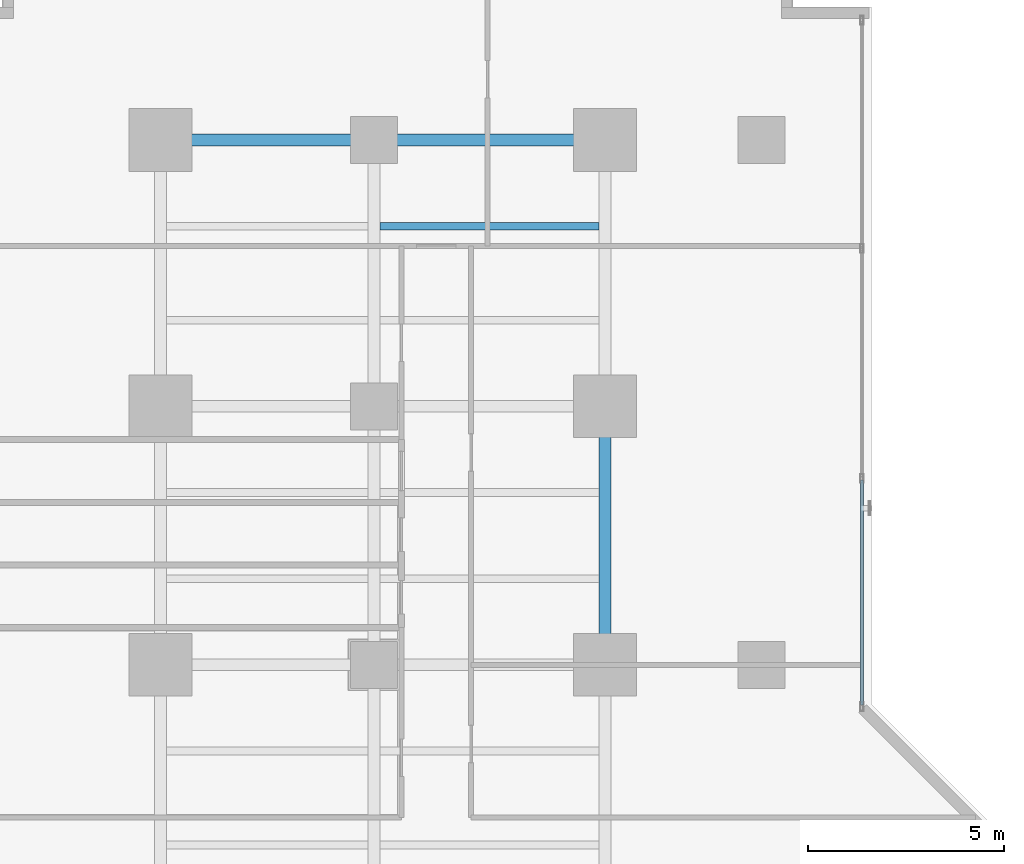
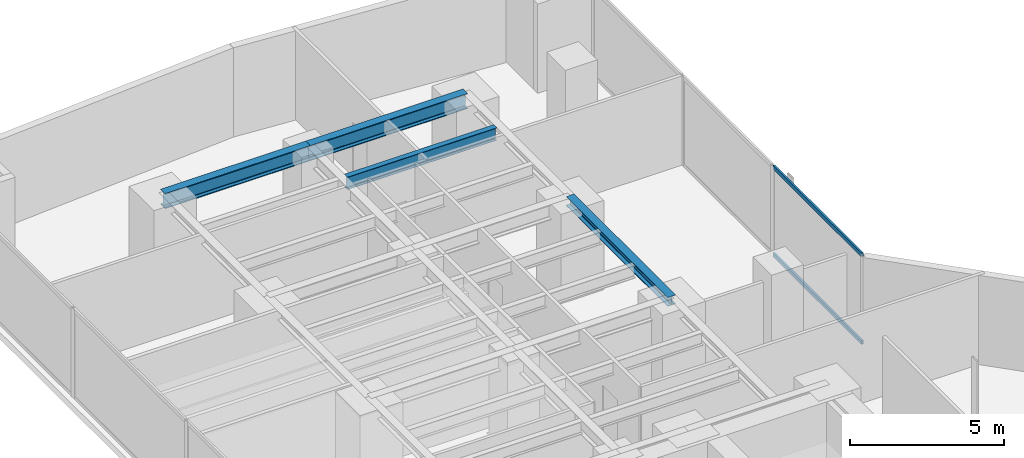
# One storey, part 18 of 26: 4 beams, 2 members, 1 element without a shape of its own.
"""IFC4 building model written with IfcOpenShell, lengths in metres."""

from ifc_helpers import new_model, si_unit, direction, frame, origin, origin_with_axes, origin_2d, place, context, subcontext, project, spatial, hollow_rectangle, i_section, extrude, source, transform, mapped, material, layer, layer_set, material_profile, profile_set, type_object, element, aggregate, save


model = new_model("IFC4")

# Units and contexts
model_context = context("Model", 3, precision=1e-05, world=origin(), true_north=direction((0.0, 1.0)))
body_context = subcontext(model_context, "Body", "Model", "MODEL_VIEW")
ifc_project = project(units=[si_unit("LENGTHUNIT", "METRE"), si_unit("AREAUNIT", "SQUARE_METRE"), si_unit("VOLUMEUNIT", "CUBIC_METRE"), si_unit("PLANEANGLEUNIT", "RADIAN"), si_unit("MASSUNIT", "GRAM", prefix="KILO")], contexts=[model_context])

# Site, building, storey
site_placement = place(None, origin())
site = spatial("IfcSite", under=ifc_project, at=site_placement, CompositionType="ELEMENT")
building_placement = place(site_placement, origin())
building = spatial("IfcBuilding", under=site, at=building_placement, Name="Kolvaren Waterfront Exchange", CompositionType="ELEMENT")
storey_placement = place(building_placement, frame((0.0, 0.0, 48.60009765625)))
storey = spatial("IfcBuildingStorey", under=building, at=storey_placement, Name="L12", CompositionType="ELEMENT", Elevation=48.60009765625)

# Beams
ifc_material_1 = material(Name="Steel S355", Category="steel")
ifc_material_profile_1 = material_profile(ifc_material_1, i_section(OverallWidth=0.300048828125, OverallDepth=0.360107421875, WebThickness=0.012451171875, FlangeThickness=0.0224609375, FilletRadius=0.027099609375, at=origin_2d()), Name="HEB360")
ifc_profile_set_1 = profile_set([ifc_material_profile_1], Name="Steel S355")
beam_type_1 = type_object("IfcBeamType", Name="STR-BM-HEB360", PredefinedType="SPANDREL", material=ifc_profile_set_1)
beam_1_placement = place(storey_placement, frame((18.800048828125, 31.199951171875, 3.35986328125), z_axis=(0.0, 1.0, 0.0), x_axis=(-1.0, 0.0, 0.0)))
element("IfcBeam", 1, at=beam_1_placement, inside=storey, type_object=beam_type_1, Name="L12 north-arm edge beam 2", PredefinedType="SPANDREL", context=body_context, shape_type="SweptSolid", body=[
    extrude(i_section(OverallWidth=0.300048828125, OverallDepth=0.360107421875, WebThickness=0.012451171875, FlangeThickness=0.0224609375, FilletRadius=0.027099609375, at=origin_2d()), origin(), (0.0, 0.0, 1.0), 6.60009765625),
])
ifc_material_profile_2 = material_profile(ifc_material_1, i_section(OverallWidth=0.300048828125, OverallDepth=0.60009765625, WebThickness=0.015380859375, FlangeThickness=0.030029296875, FilletRadius=0.027099609375, at=origin_2d()), Name="HEB600")
ifc_profile_set_2 = profile_set([ifc_material_profile_2], Name="Steel S355")
beam_type_2 = type_object("IfcBeamType", Name="STR-BM-HEB600", PredefinedType="BEAM", material=ifc_profile_set_2)
beam_2_placement = place(storey_placement, frame((7.449951171875, 44.60009765625, 3.239990234375), z_axis=(1.0, 0.0, 0.0), x_axis=(0.0, 1.0, 0.0)))
element("IfcBeam", 2, at=beam_2_placement, inside=storey, type_object=beam_type_2, Name="L12 north-arm girder 4A", PredefinedType="BEAM", context=body_context, shape_type="SweptSolid", body=[
    extrude(i_section(OverallWidth=0.300048828125, OverallDepth=0.60009765625, WebThickness=0.015380859375, FlangeThickness=0.030029296875, FilletRadius=0.027099609375, at=origin_2d()), origin(), (0.0, 0.0, 1.0), 5.449951171875),
])
beam_3_placement = place(storey_placement, frame((12.89990234375, 44.60009765625, 3.239990234375), z_axis=(1.0, 0.0, 0.0), x_axis=(0.0, 1.0, 0.0)))
element("IfcBeam", 3, at=beam_3_placement, inside=storey, type_object=beam_type_2, Name="L12 north-arm girder 4B", PredefinedType="BEAM", context=body_context, shape_type="SweptSolid", body=[
    extrude(i_section(OverallWidth=0.300048828125, OverallDepth=0.60009765625, WebThickness=0.015380859375, FlangeThickness=0.030029296875, FilletRadius=0.027099609375, at=origin_2d()), origin(), (0.0, 0.0, 1.0), 5.900146484375),
])
ifc_material_profile_3 = material_profile(ifc_material_1, i_section(OverallWidth=0.199951171875, OverallDepth=0.5, WebThickness=0.01025390625, FlangeThickness=0.01611328125, FilletRadius=0.02099609375, at=origin_2d()), Name="IPE500")
ifc_profile_set_3 = profile_set([ifc_material_profile_3], Name="Steel S355")
beam_type_3 = type_object("IfcBeamType", Name="STR-BM-IPE500", PredefinedType="JOIST", material=ifc_profile_set_3)
beam_4_placement = place(storey_placement, frame((13.052001953125, 42.39990234375, 3.289794921875), z_axis=(1.0, 0.0, 0.0), x_axis=(0.0, 1.0, 0.0)))
element("IfcBeam", 4, at=beam_4_placement, inside=storey, type_object=beam_type_3, Name="L12 north-arm composite joist 6B", PredefinedType="JOIST", context=body_context, shape_type="SweptSolid", body=[
    extrude(i_section(OverallWidth=0.199951171875, OverallDepth=0.5, WebThickness=0.01025390625, FlangeThickness=0.01611328125, FilletRadius=0.02099609375, at=origin_2d()), origin(), (0.0, 0.0, 1.0), 5.595947265625),
])

# Curtain wall, members
ifc_material_2 = material(Name="Anodised bronze aluminium 6063-T6", Category="aluminium")
ifc_layer = layer(ifc_material_2, 0.219970703125, Name="Anodised bronze aluminium 6063-T6")
ifc_layer_set = layer_set([ifc_layer], Name="Anodised bronze aluminium 6063-T6")
curtain_wall_type = type_object("IfcCurtainWallType", Name="ARC-CW-SYS1", PredefinedType="USERDEFINED", material=ifc_layer_set)
curtain_wall_placement = place(storey_placement, origin())
curtain_wall = element("IfcCurtainWall", 5, at=curtain_wall_placement, inside=storey, type_object=curtain_wall_type, Name="L12 stick curtain wall CW1 (CW-L12-NE)", ObjectType="STICK CURTAIN WALL", PredefinedType="USERDEFINED")
ifc_material_3 = material(Name="Anodised aluminium 6063-T6", Category="aluminium")
ifc_material_profile_4 = material_profile(ifc_material_3, hollow_rectangle(XDim=0.074951171875, YDim=0.159912109375, WallThickness=0.00439453125, at=origin_2d()), Name="ALU-TRN-160x75x4.5")
ifc_profile_set_4 = profile_set([ifc_material_profile_4], Name="Anodised aluminium 6063-T6")
member_type = type_object("IfcMemberType", Name="ARC-CWT-160", PredefinedType="USERDEFINED", material=ifc_profile_set_4)
shared_shape = source(origin_with_axes(), body_context, "Body", "SweptSolid", [
    extrude(hollow_rectangle(XDim=0.074951171875, YDim=0.159912109375, WallThickness=0.00439453125, at=origin_2d()), origin(), (0.0, 0.0, 1.0), 5.75),
])
member_1_placement = place(storey_placement, frame((25.360107421875, 30.169921875, 0.037353515625), z_axis=(0.0, 1.0, 0.0), x_axis=(-1.0, 0.0, 0.0)))
member_1 = element("IfcMember", 6, at=member_1_placement, type_object=member_type, Name="CW1 transom 1.1", ObjectType="TRANSOM", PredefinedType="USERDEFINED", context=body_context, shape_type="MappedRepresentation", body=[
    mapped(shared_shape, transform((0.0, 0.0, 0.0), x_axis=(1.0, 0.0, 0.0), y_axis=(0.0, 1.0, 0.0), z_axis=(0.0, 0.0, 1.0), scale=1.0)),
])
member_2_placement = place(storey_placement, frame((25.360107421875, 30.169921875, 3.50244140625), z_axis=(0.0, 1.0, 0.0), x_axis=(-1.0, 0.0, 0.0)))
member_2 = element("IfcMember", 7, at=member_2_placement, type_object=member_type, Name="CW1 transom 1.2", ObjectType="TRANSOM", PredefinedType="USERDEFINED", context=body_context, shape_type="MappedRepresentation", body=[
    mapped(shared_shape, transform((0.0, 0.0, 0.0), x_axis=(1.0, 0.0, 0.0), y_axis=(0.0, 1.0, 0.0), z_axis=(0.0, 0.0, 1.0), scale=1.0)),
])
aggregate(curtain_wall, [member_1, member_2])

save(model, "model.ifc")
